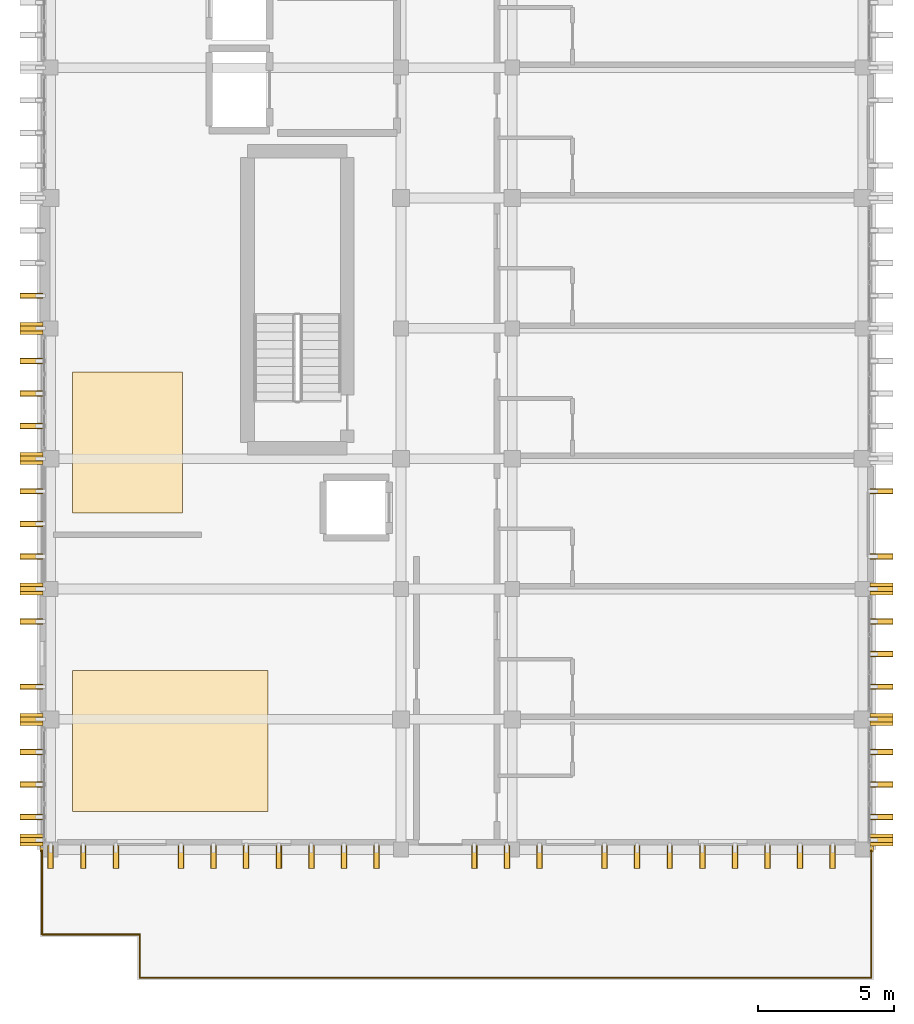
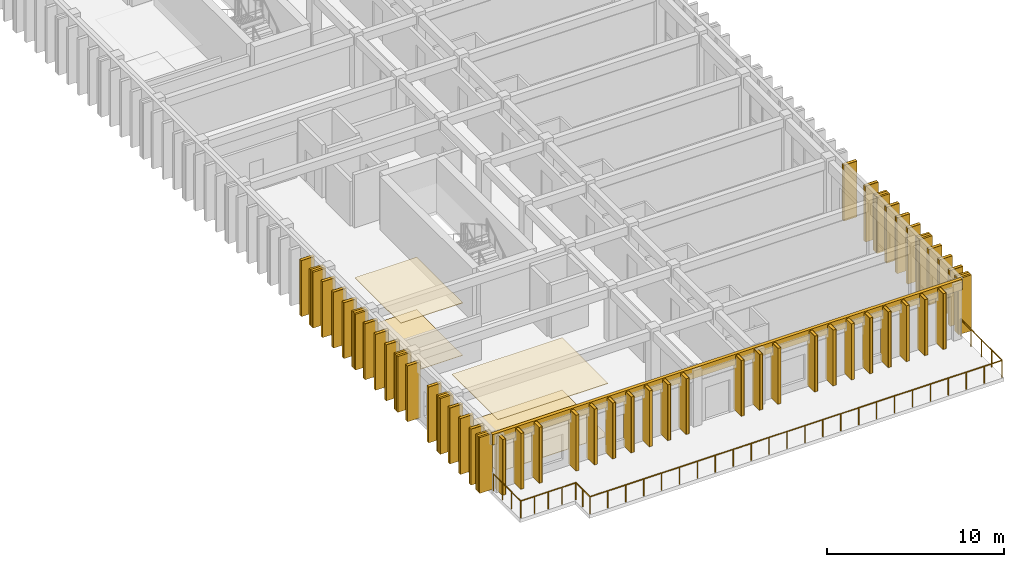
# One storey, part 46 of 50: 54 coverings, 49 shading devices, 1 railing.
"""IFC4 building model written with IfcOpenShell, lengths in metres."""

from ifc_helpers import new_model, si_unit, direction, frame, origin, origin_2d, place, context, subcontext, project, spatial, polyline, rectangle, circle, outline, extrude, material, layer, layer_set, type_object, element, save


model = new_model("IFC4")

# Units and contexts
model_context = context("Model", 3, precision=1e-05, world=origin(), true_north=direction((0.0, 1.0)))
body_context = subcontext(model_context, "Body", "Model", "MODEL_VIEW")
ifc_project = project(units=[si_unit("LENGTHUNIT", "METRE"), si_unit("AREAUNIT", "SQUARE_METRE"), si_unit("VOLUMEUNIT", "CUBIC_METRE"), si_unit("PLANEANGLEUNIT", "RADIAN"), si_unit("MASSUNIT", "GRAM", prefix="KILO")], contexts=[model_context])

# Site, building, storey
site_placement = place(None, origin())
site = spatial("IfcSite", under=ifc_project, at=site_placement, CompositionType="ELEMENT")
building_placement = place(site_placement, origin())
building = spatial("IfcBuilding", under=site, at=building_placement, Name="Nakhvara Creek Congress Hotel", CompositionType="ELEMENT")
storey_placement = place(building_placement, frame((0.0, 0.0, 42.60009765625)))
storey = spatial("IfcBuildingStorey", under=building, at=storey_placement, Name="L10", CompositionType="ELEMENT", Elevation=42.60009765625)

# Coverings
ifc_material_1 = material(Name="Acoustic mineral-fibre and gypsum ceiling board")
ifc_layer_1 = layer(ifc_material_1, 0.0400390625)
ifc_layer_set_1 = layer_set([ifc_layer_1], Name="Acoustic mineral-fibre and gypsum ceiling board")
covering_type_1 = type_object("IfcCoveringType", Name="COV-CEIL-AC", PredefinedType="CEILING", material=ifc_layer_set_1)
covering_1_placement = place(storey_placement, frame((0.0, 0.0, 3.625)))
element("IfcCovering", 1, at=covering_1_placement, inside=storey, type_object=covering_type_1, Name="Acoustic Ceiling L10-LNG-01", PredefinedType="CEILING", context=body_context, shape_type="SweptSolid", body=[
    extrude(outline(polyline([(150.25, 63.800048828125), (157.449951171875, 63.800048828125), (157.449951171875, 69.0), (150.25, 69.0), (150.25, 63.800048828125)])), origin(), (0.0, 0.0, 1.0), 0.034912109375),
])
covering_2_placement = place(storey_placement, frame((0.0, 0.0, 3.625)))
element("IfcCovering", 2, at=covering_2_placement, inside=storey, type_object=covering_type_1, Name="Acoustic Ceiling L10-WSV-01", PredefinedType="CEILING", context=body_context, shape_type="SweptSolid", body=[
    extrude(outline(polyline([(150.25, 74.800048828125), (154.300048828125, 74.800048828125), (154.300048828125, 80.0), (150.25, 80.0), (150.25, 74.800048828125)])), origin(), (0.0, 0.0, 1.0), 0.034912109375),
])
ifc_material_2 = material(Name="Honed pale Omani limestone architectural cladding", Category="masonry")
ifc_layer_2 = layer(ifc_material_2, 0.219970703125)
ifc_layer_set_2 = layer_set([ifc_layer_2], Name="Honed pale Omani limestone architectural cladding")
covering_type_2 = type_object("IfcCoveringType", Name="COV-FIN-850", PredefinedType="CLADDING", material=ifc_layer_set_2)
for number, where, z_axis, x_axis, name in (
    (3, (180.054931640625, 62.75, 0.0), (0.0, 0.0, 1.0), (0.0, 1.0, 0.0), "Pale Limestone Fin Cladding CF01-2292"),
    (4, (148.7451171875, 62.75, 0.0), (0.0, 0.0, 1.0), (0.0, 1.0, 0.0), "Pale Limestone Fin Cladding CF01-2293"),
):
    element("IfcCovering", number, at=place(storey_placement, frame(where, z_axis=z_axis, x_axis=x_axis)), inside=storey, type_object=covering_type_2, Name=name, PredefinedType="CLADDING", context=body_context, shape_type="SweptSolid", body=[
        extrude(rectangle(XDim=0.43994140625, YDim=0.85009765625, at=origin_2d()), origin(), (0.0, 0.0, 1.0), 3.860107421875),
    ])
for number, where, z_axis, x_axis, name in (
    (5, (180.054931640625, 63.60009765625, 0.0), (0.0, 0.0, 1.0), (0.0, 1.0, 0.0), "Pale Limestone Fin Cladding CF01-2294"),
    (6, (148.7451171875, 63.60009765625, 0.0), (0.0, 0.0, 1.0), (0.0, 1.0, 0.0), "Pale Limestone Fin Cladding CF01-2295"),
    (7, (180.054931640625, 64.800048828125, 0.0), (0.0, 0.0, 1.0), (0.0, 1.0, 0.0), "Pale Limestone Fin Cladding CF01-2296"),
    (8, (148.7451171875, 64.800048828125, 0.0), (0.0, 0.0, 1.0), (0.0, 1.0, 0.0), "Pale Limestone Fin Cladding CF01-2297"),
    (9, (180.054931640625, 66.0, 0.0), (0.0, 0.0, 1.0), (0.0, 1.0, 0.0), "Pale Limestone Fin Cladding CF01-2298"),
    (10, (148.7451171875, 66.0, 0.0), (0.0, 0.0, 1.0), (0.0, 1.0, 0.0), "Pale Limestone Fin Cladding CF01-2299"),
):
    element("IfcCovering", number, at=place(storey_placement, frame(where, z_axis=z_axis, x_axis=x_axis)), inside=storey, type_object=covering_type_2, Name=name, PredefinedType="CLADDING", context=body_context, shape_type="SweptSolid", body=[
        extrude(rectangle(XDim=0.219970703125, YDim=0.85009765625, at=origin_2d()), origin(), (0.0, 0.0, 1.0), 3.860107421875),
    ])
for number, where, z_axis, x_axis, name in (
    (11, (180.054931640625, 67.199951171875, 0.0), (0.0, 0.0, 1.0), (0.0, 1.0, 0.0), "Pale Limestone Fin Cladding CF01-2300"),
    (12, (148.7451171875, 67.199951171875, 0.0), (0.0, 0.0, 1.0), (0.0, 1.0, 0.0), "Pale Limestone Fin Cladding CF01-2301"),
):
    element("IfcCovering", number, at=place(storey_placement, frame(where, z_axis=z_axis, x_axis=x_axis)), inside=storey, type_object=covering_type_2, Name=name, PredefinedType="CLADDING", context=body_context, shape_type="SweptSolid", body=[
        extrude(rectangle(XDim=0.43994140625, YDim=0.85009765625, at=origin_2d()), origin(), (0.0, 0.0, 1.0), 3.860107421875),
    ])
for number, where, z_axis, x_axis, name in (
    (13, (180.054931640625, 68.39990234375, 0.0), (0.0, 0.0, 1.0), (0.0, 1.0, 0.0), "Pale Limestone Fin Cladding CF01-2302"),
    (14, (148.7451171875, 68.39990234375, 0.0), (0.0, 0.0, 1.0), (0.0, 1.0, 0.0), "Pale Limestone Fin Cladding CF01-2303"),
    (15, (180.054931640625, 69.60009765625, 0.0), (0.0, 0.0, 1.0), (0.0, 1.0, 0.0), "Pale Limestone Fin Cladding CF01-2304"),
    (16, (180.054931640625, 70.800048828125, 0.0), (0.0, 0.0, 1.0), (0.0, 1.0, 0.0), "Pale Limestone Fin Cladding CF01-2305"),
    (17, (148.7451171875, 70.800048828125, 0.0), (0.0, 0.0, 1.0), (0.0, 1.0, 0.0), "Pale Limestone Fin Cladding CF01-2306"),
):
    element("IfcCovering", number, at=place(storey_placement, frame(where, z_axis=z_axis, x_axis=x_axis)), inside=storey, type_object=covering_type_2, Name=name, PredefinedType="CLADDING", context=body_context, shape_type="SweptSolid", body=[
        extrude(rectangle(XDim=0.219970703125, YDim=0.85009765625, at=origin_2d()), origin(), (0.0, 0.0, 1.0), 3.860107421875),
    ])
for number, where, z_axis, x_axis, name in (
    (18, (180.054931640625, 72.0, 0.0), (0.0, 0.0, 1.0), (0.0, 1.0, 0.0), "Pale Limestone Fin Cladding CF01-2307"),
    (19, (148.7451171875, 72.0, 0.0), (0.0, 0.0, 1.0), (0.0, 1.0, 0.0), "Pale Limestone Fin Cladding CF01-2308"),
):
    element("IfcCovering", number, at=place(storey_placement, frame(where, z_axis=z_axis, x_axis=x_axis)), inside=storey, type_object=covering_type_2, Name=name, PredefinedType="CLADDING", context=body_context, shape_type="SweptSolid", body=[
        extrude(rectangle(XDim=0.43994140625, YDim=0.85009765625, at=origin_2d()), origin(), (0.0, 0.0, 1.0), 3.860107421875),
    ])
for number, where, z_axis, x_axis, name in (
    (20, (180.054931640625, 73.199951171875, 0.0), (0.0, 0.0, 1.0), (0.0, 1.0, 0.0), "Pale Limestone Fin Cladding CF01-2309"),
    (21, (148.7451171875, 73.199951171875, 0.0), (0.0, 0.0, 1.0), (0.0, 1.0, 0.0), "Pale Limestone Fin Cladding CF01-2310"),
    (22, (148.7451171875, 74.39990234375, 0.0), (0.0, 0.0, 1.0), (0.0, 1.0, 0.0), "Pale Limestone Fin Cladding CF01-2311"),
    (23, (180.054931640625, 75.60009765625, 0.0), (0.0, 0.0, 1.0), (0.0, 1.0, 0.0), "Pale Limestone Fin Cladding CF01-2312"),
    (24, (148.7451171875, 75.60009765625, 0.0), (0.0, 0.0, 1.0), (0.0, 1.0, 0.0), "Pale Limestone Fin Cladding CF01-2313"),
):
    element("IfcCovering", number, at=place(storey_placement, frame(where, z_axis=z_axis, x_axis=x_axis)), inside=storey, type_object=covering_type_2, Name=name, PredefinedType="CLADDING", context=body_context, shape_type="SweptSolid", body=[
        extrude(rectangle(XDim=0.219970703125, YDim=0.85009765625, at=origin_2d()), origin(), (0.0, 0.0, 1.0), 3.860107421875),
    ])
covering_3_placement = place(storey_placement, frame((148.7451171875, 76.800048828125, 0.0), z_axis=(0.0, 0.0, 1.0), x_axis=(0.0, 1.0, 0.0)))
element("IfcCovering", 25, at=covering_3_placement, inside=storey, type_object=covering_type_2, Name="Pale Limestone Fin Cladding CF01-2315", PredefinedType="CLADDING", context=body_context, shape_type="SweptSolid", body=[
    extrude(rectangle(XDim=0.43994140625, YDim=0.85009765625, at=origin_2d()), origin(), (0.0, 0.0, 1.0), 3.860107421875),
])
for number, where, z_axis, x_axis, name in (
    (26, (148.7451171875, 78.0, 0.0), (0.0, 0.0, 1.0), (0.0, 1.0, 0.0), "Pale Limestone Fin Cladding CF01-2317"),
    (27, (148.7451171875, 79.199951171875, 0.0), (0.0, 0.0, 1.0), (0.0, 1.0, 0.0), "Pale Limestone Fin Cladding CF01-2319"),
    (28, (148.7451171875, 80.39990234375, 0.0), (0.0, 0.0, 1.0), (0.0, 1.0, 0.0), "Pale Limestone Fin Cladding CF01-2321"),
):
    element("IfcCovering", number, at=place(storey_placement, frame(where, z_axis=z_axis, x_axis=x_axis)), inside=storey, type_object=covering_type_2, Name=name, PredefinedType="CLADDING", context=body_context, shape_type="SweptSolid", body=[
        extrude(rectangle(XDim=0.219970703125, YDim=0.85009765625, at=origin_2d()), origin(), (0.0, 0.0, 1.0), 3.860107421875),
    ])
covering_4_placement = place(storey_placement, frame((148.7451171875, 81.60009765625, 0.0), z_axis=(0.0, 0.0, 1.0), x_axis=(0.0, 1.0, 0.0)))
element("IfcCovering", 29, at=covering_4_placement, inside=storey, type_object=covering_type_2, Name="Pale Limestone Fin Cladding CF01-2323", PredefinedType="CLADDING", context=body_context, shape_type="SweptSolid", body=[
    extrude(rectangle(XDim=0.43994140625, YDim=0.85009765625, at=origin_2d()), origin(), (0.0, 0.0, 1.0), 3.860107421875),
])
for number, where, z_axis, x_axis, name in (
    (30, (148.7451171875, 82.800048828125, 0.0), (0.0, 0.0, 1.0), (0.0, 1.0, 0.0), "Pale Limestone Fin Cladding CF01-2325"),
    (31, (149.449951171875, 62.135009765625, 0.0), (0.0, 0.0, 1.0), (1.0, 0.0, 0.0), "Pale Limestone Fin Cladding CF01-2396"),
    (32, (150.64990234375, 62.135009765625, 0.0), (0.0, 0.0, 1.0), (1.0, 0.0, 0.0), "Pale Limestone Fin Cladding CF01-2398"),
    (33, (151.85009765625, 62.135009765625, 0.0), (0.0, 0.0, 1.0), (1.0, 0.0, 0.0), "Pale Limestone Fin Cladding CF01-2400"),
    (34, (154.25, 62.135009765625, 0.0), (0.0, 0.0, 1.0), (1.0, 0.0, 0.0), "Pale Limestone Fin Cladding CF01-2402"),
    (35, (155.449951171875, 62.135009765625, 0.0), (0.0, 0.0, 1.0), (1.0, 0.0, 0.0), "Pale Limestone Fin Cladding CF01-2404"),
    (36, (156.64990234375, 62.135009765625, 0.0), (0.0, 0.0, 1.0), (1.0, 0.0, 0.0), "Pale Limestone Fin Cladding CF01-2406"),
    (37, (157.85009765625, 62.135009765625, 0.0), (0.0, 0.0, 1.0), (1.0, 0.0, 0.0), "Pale Limestone Fin Cladding CF01-2408"),
    (38, (159.050048828125, 62.135009765625, 0.0), (0.0, 0.0, 1.0), (1.0, 0.0, 0.0), "Pale Limestone Fin Cladding CF01-2410"),
    (39, (160.25, 62.135009765625, 0.0), (0.0, 0.0, 1.0), (1.0, 0.0, 0.0), "Pale Limestone Fin Cladding CF01-2412"),
    (40, (161.449951171875, 62.135009765625, 0.0), (0.0, 0.0, 1.0), (1.0, 0.0, 0.0), "Pale Limestone Fin Cladding CF01-2414"),
    (41, (165.050048828125, 62.135009765625, 0.0), (0.0, 0.0, 1.0), (1.0, 0.0, 0.0), "Pale Limestone Fin Cladding CF01-2418"),
    (42, (166.25, 62.135009765625, 0.0), (0.0, 0.0, 1.0), (1.0, 0.0, 0.0), "Pale Limestone Fin Cladding CF01-2420"),
    (43, (167.449951171875, 62.135009765625, 0.0), (0.0, 0.0, 1.0), (1.0, 0.0, 0.0), "Pale Limestone Fin Cladding CF01-2422"),
    (44, (169.85009765625, 62.135009765625, 0.0), (0.0, 0.0, 1.0), (1.0, 0.0, 0.0), "Pale Limestone Fin Cladding CF01-2425"),
    (45, (171.050048828125, 62.135009765625, 0.0), (0.0, 0.0, 1.0), (1.0, 0.0, 0.0), "Pale Limestone Fin Cladding CF01-2427"),
    (46, (172.25, 62.135009765625, 0.0), (0.0, 0.0, 1.0), (1.0, 0.0, 0.0), "Pale Limestone Fin Cladding CF01-2429"),
    (47, (173.449951171875, 62.135009765625, 0.0), (0.0, 0.0, 1.0), (1.0, 0.0, 0.0), "Pale Limestone Fin Cladding CF01-2431"),
    (48, (174.64990234375, 62.135009765625, 0.0), (0.0, 0.0, 1.0), (1.0, 0.0, 0.0), "Pale Limestone Fin Cladding CF01-2433"),
    (49, (175.85009765625, 62.135009765625, 0.0), (0.0, 0.0, 1.0), (1.0, 0.0, 0.0), "Pale Limestone Fin Cladding CF01-2434"),
    (50, (177.050048828125, 62.135009765625, 0.0), (0.0, 0.0, 1.0), (1.0, 0.0, 0.0), "Pale Limestone Fin Cladding CF01-2436"),
    (51, (178.25, 62.135009765625, 0.0), (0.0, 0.0, 1.0), (1.0, 0.0, 0.0), "Pale Limestone Fin Cladding CF01-2438"),
):
    element("IfcCovering", number, at=place(storey_placement, frame(where, z_axis=z_axis, x_axis=x_axis)), inside=storey, type_object=covering_type_2, Name=name, PredefinedType="CLADDING", context=body_context, shape_type="SweptSolid", body=[
        extrude(rectangle(XDim=0.219970703125, YDim=0.85009765625, at=origin_2d()), origin(), (0.0, 0.0, 1.0), 3.860107421875),
    ])
ifc_material_3 = material(Name="Honed limestone and terrazzo acoustic floor finish", Category="masonry")
ifc_layer_3 = layer(ifc_material_3, 0.044921875)
ifc_layer_set_3 = layer_set([ifc_layer_3], Name="Honed limestone and terrazzo acoustic floor finish")
covering_type_3 = type_object("IfcCoveringType", Name="COV-FLR-TER", PredefinedType="FLOORING", material=ifc_layer_set_3)
covering_5_placement = place(storey_placement, origin())
element("IfcCovering", 52, at=covering_5_placement, inside=storey, type_object=covering_type_3, Name="Floor Finish L10-LNG-01", PredefinedType="FLOORING", context=body_context, shape_type="SweptSolid", body=[
    extrude(outline(polyline([(150.25, 63.800048828125), (157.449951171875, 63.800048828125), (157.449951171875, 69.0), (150.25, 69.0), (150.25, 63.800048828125)])), origin(), (0.0, 0.0, 1.0), 0.02978515625),
])
covering_6_placement = place(storey_placement, origin())
element("IfcCovering", 53, at=covering_6_placement, inside=storey, type_object=covering_type_3, Name="Floor Finish L10-WSV-01", PredefinedType="FLOORING", context=body_context, shape_type="SweptSolid", body=[
    extrude(outline(polyline([(150.25, 74.800048828125), (154.300048828125, 74.800048828125), (154.300048828125, 80.0), (150.25, 80.0), (150.25, 74.800048828125)])), origin(), (0.0, 0.0, 1.0), 0.02978515625),
])
ifc_layer_4 = layer(ifc_material_2, 0.179931640625)
ifc_layer_set_4 = layer_set([ifc_layer_4], Name="Honed pale Omani limestone architectural cladding")
covering_type_4 = type_object("IfcCoveringType", Name="COV-SPN-180", PredefinedType="CLADDING", material=ifc_layer_set_4)
covering_7_placement = place(storey_placement, frame((164.39990234375, 62.429931640625, 3.2099609375), z_axis=(0.0, 0.0, 1.0), x_axis=(1.0, 0.0, 0.0)))
element("IfcCovering", 54, at=covering_7_placement, inside=storey, type_object=covering_type_4, Name="Pale Limestone Spandrel Band CF02-0084", PredefinedType="CLADDING", context=body_context, shape_type="SweptSolid", body=[
    extrude(rectangle(XDim=30.699951171875, YDim=0.219970703125, at=origin_2d()), origin(), (0.0, 0.0, 1.0), 0.72998046875),
])

# Railing
ifc_material_4 = material(Name="Bronze-anodised aluminium and laminated safety glass balustrade", Category="aluminium")
railing_type = type_object("IfcRailingType", Name="RL-BALUS-1200", PredefinedType="BALUSTRADE", material=ifc_material_4)
railing_placement = place(storey_placement, frame((149.1298828125, 62.360107421875, 0.0)))
element("IfcRailing", 55, at=railing_placement, inside=storey, type_object=railing_type, Name="Terrace Balustrade GR02-L10-008", PredefinedType="BALUSTRADE", context=body_context, shape_type="SweptSolid", body=[
    extrude(circle(Radius=0.02392578125, at=origin_2d()), frame((0.0, -0.0146484375, 1.17578125), z_axis=(0.0, -1.0, 0.0), x_axis=(1.0, 0.0, 0.0)), (0.0, 0.0, 1.0), 3.05078125),
    extrude(circle(Radius=0.02392578125, at=origin_2d()), frame((0.0146484375, -3.080078125, 1.17578125), z_axis=(1.0, 0.0, 0.0), x_axis=(0.0, 1.0, 0.0)), (0.0, 0.0, 1.0), 3.57080078125),
    extrude(circle(Radius=0.02392578125, at=origin_2d()), frame((3.60009765625, -3.0947265625, 1.17578125), z_axis=(0.0, -1.0, 0.0), x_axis=(1.0, 0.0, 0.0)), (0.0, 0.0, 1.0), 1.57080078125),
    extrude(circle(Radius=0.02392578125, at=origin_2d()), frame((3.61474609375, -4.68017578125, 1.17578125), z_axis=(1.0, 0.0, 0.0), x_axis=(0.0, 1.0, 0.0)), (0.0, 0.0, 1.0), 26.91064453125),
    extrude(circle(Radius=0.02392578125, at=origin_2d()), frame((30.5400390625, -4.66552734375, 1.17578125), z_axis=(0.0, 1.0, 0.0), x_axis=(-1.0, 0.0, 0.0)), (0.0, 0.0, 1.0), 4.65087890625),
    extrude(circle(Radius=0.02099609375, at=origin_2d()), origin(), (0.0, 0.0, 1.0), 1.1806640625),
    extrude(circle(Radius=0.02099609375, at=origin_2d()), frame((0.0, -1.026611328125, 0.0)), (0.0, 0.0, 1.0), 1.1806640625),
    extrude(circle(Radius=0.02099609375, at=origin_2d()), frame((0.0, -2.053466796875, 0.0)), (0.0, 0.0, 1.0), 1.1806640625),
    extrude(circle(Radius=0.02099609375, at=origin_2d()), frame((0.0, -3.080078125, 0.0)), (0.0, 0.0, 1.0), 1.1806640625),
    extrude(circle(Radius=0.02099609375, at=origin_2d()), frame((0.89990234375, -3.080078125, 0.0)), (0.0, 0.0, 1.0), 1.1806640625),
    extrude(circle(Radius=0.02099609375, at=origin_2d()), frame((1.800048828125, -3.080078125, 0.0)), (0.0, 0.0, 1.0), 1.1806640625),
    extrude(circle(Radius=0.02099609375, at=origin_2d()), frame((2.7001953125, -3.080078125, 0.0)), (0.0, 0.0, 1.0), 1.1806640625),
    extrude(circle(Radius=0.02099609375, at=origin_2d()), frame((3.60009765625, -3.080078125, 0.0)), (0.0, 0.0, 1.0), 1.1806640625),
    extrude(circle(Radius=0.02099609375, at=origin_2d()), frame((3.60009765625, -3.880126953125, 0.0)), (0.0, 0.0, 1.0), 1.1806640625),
    extrude(circle(Radius=0.02099609375, at=origin_2d()), frame((3.60009765625, -4.68017578125, 0.0)), (0.0, 0.0, 1.0), 1.1806640625),
    extrude(circle(Radius=0.02099609375, at=origin_2d()), frame((4.771484375, -4.68017578125, 0.0)), (0.0, 0.0, 1.0), 1.1806640625),
    extrude(circle(Radius=0.02099609375, at=origin_2d()), frame((5.942626953125, -4.68017578125, 0.0)), (0.0, 0.0, 1.0), 1.1806640625),
    extrude(circle(Radius=0.02099609375, at=origin_2d()), frame((7.114013671875, -4.68017578125, 0.0)), (0.0, 0.0, 1.0), 1.1806640625),
    extrude(circle(Radius=0.02099609375, at=origin_2d()), frame((8.285400390625, -4.68017578125, 0.0)), (0.0, 0.0, 1.0), 1.1806640625),
    extrude(circle(Radius=0.02099609375, at=origin_2d()), frame((9.45654296875, -4.68017578125, 0.0)), (0.0, 0.0, 1.0), 1.1806640625),
    extrude(circle(Radius=0.02099609375, at=origin_2d()), frame((10.6279296875, -4.68017578125, 0.0)), (0.0, 0.0, 1.0), 1.1806640625),
    extrude(circle(Radius=0.02099609375, at=origin_2d()), frame((11.79931640625, -4.68017578125, 0.0)), (0.0, 0.0, 1.0), 1.1806640625),
    extrude(circle(Radius=0.02099609375, at=origin_2d()), frame((12.970458984375, -4.68017578125, 0.0)), (0.0, 0.0, 1.0), 1.1806640625),
    extrude(circle(Radius=0.02099609375, at=origin_2d()), frame((14.141845703125, -4.68017578125, 0.0)), (0.0, 0.0, 1.0), 1.1806640625),
    extrude(circle(Radius=0.02099609375, at=origin_2d()), frame((15.313232421875, -4.68017578125, 0.0)), (0.0, 0.0, 1.0), 1.1806640625),
    extrude(circle(Radius=0.02099609375, at=origin_2d()), frame((16.484375, -4.68017578125, 0.0)), (0.0, 0.0, 1.0), 1.1806640625),
    extrude(circle(Radius=0.02099609375, at=origin_2d()), frame((17.65576171875, -4.68017578125, 0.0)), (0.0, 0.0, 1.0), 1.1806640625),
    extrude(circle(Radius=0.02099609375, at=origin_2d()), frame((18.826904296875, -4.68017578125, 0.0)), (0.0, 0.0, 1.0), 1.1806640625),
    extrude(circle(Radius=0.02099609375, at=origin_2d()), frame((19.998291015625, -4.68017578125, 0.0)), (0.0, 0.0, 1.0), 1.1806640625),
    extrude(circle(Radius=0.02099609375, at=origin_2d()), frame((21.169677734375, -4.68017578125, 0.0)), (0.0, 0.0, 1.0), 1.1806640625),
    extrude(circle(Radius=0.02099609375, at=origin_2d()), frame((22.3408203125, -4.68017578125, 0.0)), (0.0, 0.0, 1.0), 1.1806640625),
    extrude(circle(Radius=0.02099609375, at=origin_2d()), frame((23.51220703125, -4.68017578125, 0.0)), (0.0, 0.0, 1.0), 1.1806640625),
    extrude(circle(Radius=0.02099609375, at=origin_2d()), frame((24.68359375, -4.68017578125, 0.0)), (0.0, 0.0, 1.0), 1.1806640625),
    extrude(circle(Radius=0.02099609375, at=origin_2d()), frame((25.854736328125, -4.68017578125, 0.0)), (0.0, 0.0, 1.0), 1.1806640625),
    extrude(circle(Radius=0.02099609375, at=origin_2d()), frame((27.026123046875, -4.68017578125, 0.0)), (0.0, 0.0, 1.0), 1.1806640625),
    extrude(circle(Radius=0.02099609375, at=origin_2d()), frame((28.197509765625, -4.68017578125, 0.0)), (0.0, 0.0, 1.0), 1.1806640625),
    extrude(circle(Radius=0.02099609375, at=origin_2d()), frame((29.36865234375, -4.68017578125, 0.0)), (0.0, 0.0, 1.0), 1.1806640625),
    extrude(circle(Radius=0.02099609375, at=origin_2d()), frame((30.5400390625, -4.68017578125, 0.0)), (0.0, 0.0, 1.0), 1.1806640625),
    extrude(circle(Radius=0.02099609375, at=origin_2d()), frame((30.5400390625, -3.51025390625, 0.0)), (0.0, 0.0, 1.0), 1.1806640625),
    extrude(circle(Radius=0.02099609375, at=origin_2d()), frame((30.5400390625, -2.340087890625, 0.0)), (0.0, 0.0, 1.0), 1.1806640625),
    extrude(circle(Radius=0.02099609375, at=origin_2d()), frame((30.5400390625, -1.169921875, 0.0)), (0.0, 0.0, 1.0), 1.1806640625),
    extrude(circle(Radius=0.02099609375, at=origin_2d()), frame((30.5400390625, 0.0, 0.0)), (0.0, 0.0, 1.0), 1.1806640625),
])

# Shading devices
ifc_material_5 = material(Name="Honed pale Omani limestone cladding on stainless steel spine", Category="masonry")
shading_device_type = type_object("IfcShadingDeviceType", Name="SHD-FIN-850X3600", PredefinedType="USERDEFINED", material=ifc_material_5)
for number, where, z_axis, x_axis, name in (
    (56, (180.054931640625, 62.75, 0.0), (0.0, 0.0, 1.0), (0.0, 1.0, 0.0), "Limestone Solar Fin FN01-2157"),
    (57, (148.7451171875, 62.75, 0.0), (0.0, 0.0, 1.0), (0.0, 1.0, 0.0), "Limestone Solar Fin FN01-2158"),
    (58, (180.054931640625, 63.60009765625, 0.0), (0.0, 0.0, 1.0), (0.0, 1.0, 0.0), "Limestone Solar Fin FN01-2159"),
    (59, (148.7451171875, 63.60009765625, 0.0), (0.0, 0.0, 1.0), (0.0, 1.0, 0.0), "Limestone Solar Fin FN01-2160"),
    (60, (180.054931640625, 64.800048828125, 0.0), (0.0, 0.0, 1.0), (0.0, 1.0, 0.0), "Limestone Solar Fin FN01-2161"),
    (61, (148.7451171875, 64.800048828125, 0.0), (0.0, 0.0, 1.0), (0.0, 1.0, 0.0), "Limestone Solar Fin FN01-2162"),
    (62, (180.054931640625, 66.0, 0.0), (0.0, 0.0, 1.0), (0.0, 1.0, 0.0), "Limestone Solar Fin FN01-2163"),
    (63, (148.7451171875, 66.0, 0.0), (0.0, 0.0, 1.0), (0.0, 1.0, 0.0), "Limestone Solar Fin FN01-2164"),
    (64, (180.054931640625, 67.199951171875, 0.0), (0.0, 0.0, 1.0), (0.0, 1.0, 0.0), "Limestone Solar Fin FN01-2165"),
    (65, (148.7451171875, 67.199951171875, 0.0), (0.0, 0.0, 1.0), (0.0, 1.0, 0.0), "Limestone Solar Fin FN01-2166"),
    (66, (180.054931640625, 68.39990234375, 0.0), (0.0, 0.0, 1.0), (0.0, 1.0, 0.0), "Limestone Solar Fin FN01-2167"),
    (67, (148.7451171875, 68.39990234375, 0.0), (0.0, 0.0, 1.0), (0.0, 1.0, 0.0), "Limestone Solar Fin FN01-2168"),
    (68, (180.054931640625, 69.60009765625, 0.0), (0.0, 0.0, 1.0), (0.0, 1.0, 0.0), "Limestone Solar Fin FN01-2169"),
    (69, (180.054931640625, 70.800048828125, 0.0), (0.0, 0.0, 1.0), (0.0, 1.0, 0.0), "Limestone Solar Fin FN01-2170"),
    (70, (148.7451171875, 70.800048828125, 0.0), (0.0, 0.0, 1.0), (0.0, 1.0, 0.0), "Limestone Solar Fin FN01-2171"),
    (71, (180.054931640625, 72.0, 0.0), (0.0, 0.0, 1.0), (0.0, 1.0, 0.0), "Limestone Solar Fin FN01-2172"),
    (72, (148.7451171875, 72.0, 0.0), (0.0, 0.0, 1.0), (0.0, 1.0, 0.0), "Limestone Solar Fin FN01-2173"),
    (73, (180.054931640625, 73.199951171875, 0.0), (0.0, 0.0, 1.0), (0.0, 1.0, 0.0), "Limestone Solar Fin FN01-2174"),
    (74, (148.7451171875, 73.199951171875, 0.0), (0.0, 0.0, 1.0), (0.0, 1.0, 0.0), "Limestone Solar Fin FN01-2175"),
    (75, (148.7451171875, 74.39990234375, 0.0), (0.0, 0.0, 1.0), (0.0, 1.0, 0.0), "Limestone Solar Fin FN01-2176"),
    (76, (180.054931640625, 75.60009765625, 0.0), (0.0, 0.0, 1.0), (0.0, 1.0, 0.0), "Limestone Solar Fin FN01-2177"),
    (77, (148.7451171875, 75.60009765625, 0.0), (0.0, 0.0, 1.0), (0.0, 1.0, 0.0), "Limestone Solar Fin FN01-2178"),
    (78, (148.7451171875, 76.800048828125, 0.0), (0.0, 0.0, 1.0), (0.0, 1.0, 0.0), "Limestone Solar Fin FN01-2180"),
    (79, (148.7451171875, 78.0, 0.0), (0.0, 0.0, 1.0), (0.0, 1.0, 0.0), "Limestone Solar Fin FN01-2182"),
    (80, (148.7451171875, 79.199951171875, 0.0), (0.0, 0.0, 1.0), (0.0, 1.0, 0.0), "Limestone Solar Fin FN01-2184"),
    (81, (148.7451171875, 80.39990234375, 0.0), (0.0, 0.0, 1.0), (0.0, 1.0, 0.0), "Limestone Solar Fin FN01-2186"),
    (82, (148.7451171875, 81.60009765625, 0.0), (0.0, 0.0, 1.0), (0.0, 1.0, 0.0), "Limestone Solar Fin FN01-2188"),
    (83, (148.7451171875, 82.800048828125, 0.0), (0.0, 0.0, 1.0), (0.0, 1.0, 0.0), "Limestone Solar Fin FN01-2190"),
    (84, (149.449951171875, 62.135009765625, 0.0), (0.0, 0.0, 1.0), (1.0, 0.0, 0.0), "Limestone Solar Fin FN01-2261"),
    (85, (150.64990234375, 62.135009765625, 0.0), (0.0, 0.0, 1.0), (1.0, 0.0, 0.0), "Limestone Solar Fin FN01-2263"),
    (86, (151.85009765625, 62.135009765625, 0.0), (0.0, 0.0, 1.0), (1.0, 0.0, 0.0), "Limestone Solar Fin FN01-2265"),
    (87, (154.25, 62.135009765625, 0.0), (0.0, 0.0, 1.0), (1.0, 0.0, 0.0), "Limestone Solar Fin FN01-2267"),
    (88, (155.449951171875, 62.135009765625, 0.0), (0.0, 0.0, 1.0), (1.0, 0.0, 0.0), "Limestone Solar Fin FN01-2269"),
    (89, (156.64990234375, 62.135009765625, 0.0), (0.0, 0.0, 1.0), (1.0, 0.0, 0.0), "Limestone Solar Fin FN01-2271"),
    (90, (157.85009765625, 62.135009765625, 0.0), (0.0, 0.0, 1.0), (1.0, 0.0, 0.0), "Limestone Solar Fin FN01-2273"),
    (91, (159.050048828125, 62.135009765625, 0.0), (0.0, 0.0, 1.0), (1.0, 0.0, 0.0), "Limestone Solar Fin FN01-2275"),
    (92, (160.25, 62.135009765625, 0.0), (0.0, 0.0, 1.0), (1.0, 0.0, 0.0), "Limestone Solar Fin FN01-2277"),
    (93, (161.449951171875, 62.135009765625, 0.0), (0.0, 0.0, 1.0), (1.0, 0.0, 0.0), "Limestone Solar Fin FN01-2279"),
    (94, (165.050048828125, 62.135009765625, 0.0), (0.0, 0.0, 1.0), (1.0, 0.0, 0.0), "Limestone Solar Fin FN01-2283"),
    (95, (166.25, 62.135009765625, 0.0), (0.0, 0.0, 1.0), (1.0, 0.0, 0.0), "Limestone Solar Fin FN01-2285"),
    (96, (167.449951171875, 62.135009765625, 0.0), (0.0, 0.0, 1.0), (1.0, 0.0, 0.0), "Limestone Solar Fin FN01-2287"),
    (97, (169.85009765625, 62.135009765625, 0.0), (0.0, 0.0, 1.0), (1.0, 0.0, 0.0), "Limestone Solar Fin FN01-2290"),
    (98, (171.050048828125, 62.135009765625, 0.0), (0.0, 0.0, 1.0), (1.0, 0.0, 0.0), "Limestone Solar Fin FN01-2292"),
    (99, (172.25, 62.135009765625, 0.0), (0.0, 0.0, 1.0), (1.0, 0.0, 0.0), "Limestone Solar Fin FN01-2294"),
    (100, (173.449951171875, 62.135009765625, 0.0), (0.0, 0.0, 1.0), (1.0, 0.0, 0.0), "Limestone Solar Fin FN01-2296"),
    (101, (174.64990234375, 62.135009765625, 0.0), (0.0, 0.0, 1.0), (1.0, 0.0, 0.0), "Limestone Solar Fin FN01-2298"),
    (102, (175.85009765625, 62.135009765625, 0.0), (0.0, 0.0, 1.0), (1.0, 0.0, 0.0), "Limestone Solar Fin FN01-2299"),
    (103, (177.050048828125, 62.135009765625, 0.0), (0.0, 0.0, 1.0), (1.0, 0.0, 0.0), "Limestone Solar Fin FN01-2301"),
    (104, (178.25, 62.135009765625, 0.0), (0.0, 0.0, 1.0), (1.0, 0.0, 0.0), "Limestone Solar Fin FN01-2303"),
):
    element("IfcShadingDevice", number, at=place(storey_placement, frame(where, z_axis=z_axis, x_axis=x_axis)), inside=storey, type_object=shading_device_type, Name=name, ObjectType="FIN", PredefinedType="USERDEFINED", context=body_context, shape_type="SweptSolid", body=[
        extrude(rectangle(XDim=0.179931640625, YDim=0.85009765625, at=origin_2d()), origin(), (0.0, 0.0, 1.0), 3.860107421875),
    ])

save(model, "model.ifc")
